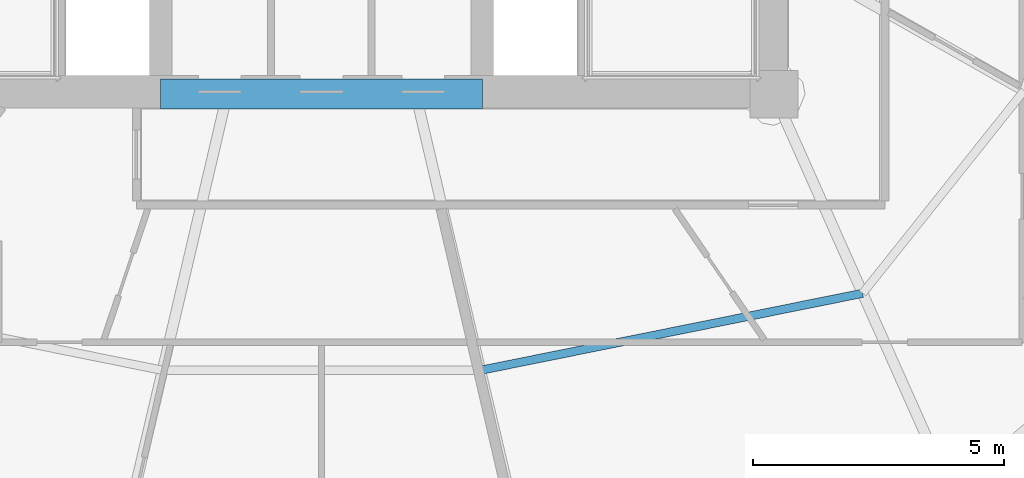
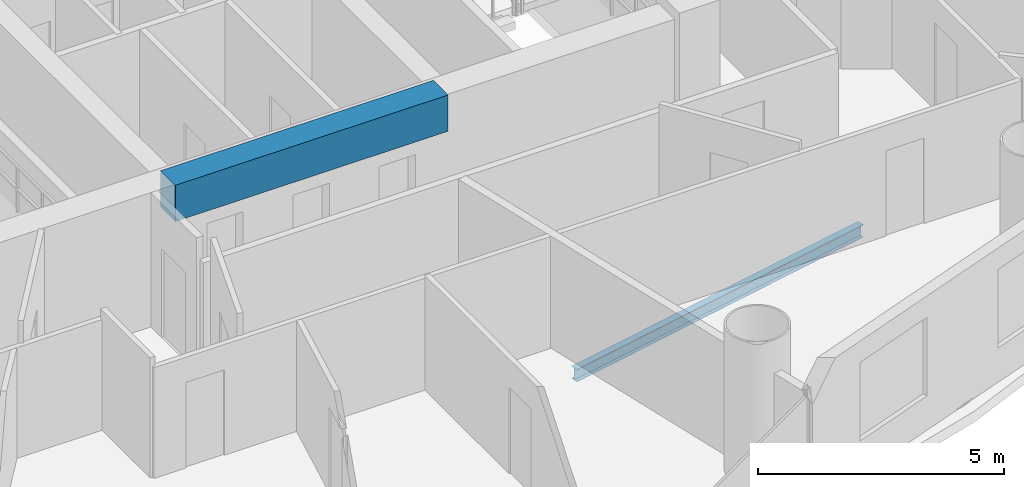
# One storey, part 6 of 26: 2 beams.
"""IFC4 building model written with IfcOpenShell, lengths in metres."""

from ifc_helpers import new_model, si_unit, direction, frame, origin, origin_2d, place, context, subcontext, project, spatial, rectangle, i_section, extrude, material, material_profile, profile_set, type_object, element, save


model = new_model("IFC4")

# Units and contexts
model_context = context("Model", 3, precision=1e-05, world=origin(), true_north=direction((-0.2419218956, 0.970295726276)))
body_context = subcontext(model_context, "Body", "Model", "MODEL_VIEW")
ifc_project = project(units=[si_unit("LENGTHUNIT", "METRE"), si_unit("AREAUNIT", "SQUARE_METRE"), si_unit("VOLUMEUNIT", "CUBIC_METRE"), si_unit("PLANEANGLEUNIT", "RADIAN"), si_unit("MASSUNIT", "GRAM", prefix="KILO")], contexts=[model_context])

# Site, building, storey
site_placement = place(None, origin())
site = spatial("IfcSite", under=ifc_project, at=site_placement, CompositionType="ELEMENT")
building_placement = place(site_placement, origin())
building = spatial("IfcBuilding", under=site, at=building_placement, Name="Cobrevalo Terracotta Tower", CompositionType="ELEMENT")
storey_placement = place(building_placement, frame((0.0, 0.0, 135.39990234375)))
storey = spatial("IfcBuildingStorey", under=building, at=storey_placement, Name="L35", CompositionType="ELEMENT", Elevation=135.39990234375)

# Beams
ifc_material_1 = material(Name="Concrete C60", Category="concrete")
ifc_material_profile_1 = material_profile(ifc_material_1, rectangle(XDim=0.60009765625, YDim=0.89990234375, at=origin_2d()), Name="RC CB 600x900")
ifc_profile_set_1 = profile_set([ifc_material_profile_1], Name="Concrete C60")
beam_type_1 = type_object("IfcBeamType", Name="Structural Beam RC CB 600x900 (Concrete C60)", PredefinedType="BEAM", material=ifc_profile_set_1)
beam_1_placement = place(storey_placement, frame((34.800048828125, 18.800048828125, 2.880126953125), z_axis=(1.0, 0.0, 0.0), x_axis=(0.0, 1.0, 0.0)))
element("IfcBeam", 1, at=beam_1_placement, inside=storey, type_object=beam_type_1, Name="L35 core coupling beam 1", PredefinedType="BEAM", context=body_context, shape_type="SweptSolid", body=[
    extrude(rectangle(XDim=0.60009765625, YDim=0.89990234375, at=origin_2d()), origin(), (0.0, 0.0, 1.0), 6.39990234375),
])
ifc_material_2 = material(Name="Steel S355", Category="steel")
ifc_material_profile_2 = material_profile(ifc_material_2, i_section(OverallWidth=0.1650390625, OverallDepth=0.31005859375, WebThickness=0.005859375, FlangeThickness=0.009765625, at=origin_2d()), Name="W 310x38.7")
ifc_profile_set_2 = profile_set([ifc_material_profile_2], Name="Steel S355")
beam_type_2 = type_object("IfcBeamType", Name="Structural Joist W 310x38.7 (Steel S355)", PredefinedType="JOIST", material=ifc_profile_set_2)
beam_2_placement = place(storey_placement, frame((41.16064453125, 13.306396484375, -0.4248046875), z_axis=(0.980293928329, 0.197544461026, 0.0), x_axis=(-0.197544461026, 0.980293928329, 0.0)))
element("IfcBeam", 2, at=beam_2_placement, inside=storey, type_object=beam_type_2, Name="L35 circumferential secondary floor joist 13", PredefinedType="JOIST", context=body_context, shape_type="SweptSolid", body=[
    extrude(i_section(OverallWidth=0.1650390625, OverallDepth=0.31005859375, WebThickness=0.005859375, FlangeThickness=0.009765625, at=origin_2d()), origin(), (0.0, 0.0, 1.0), 7.75634765625),
])

save(model, "model.ifc")
